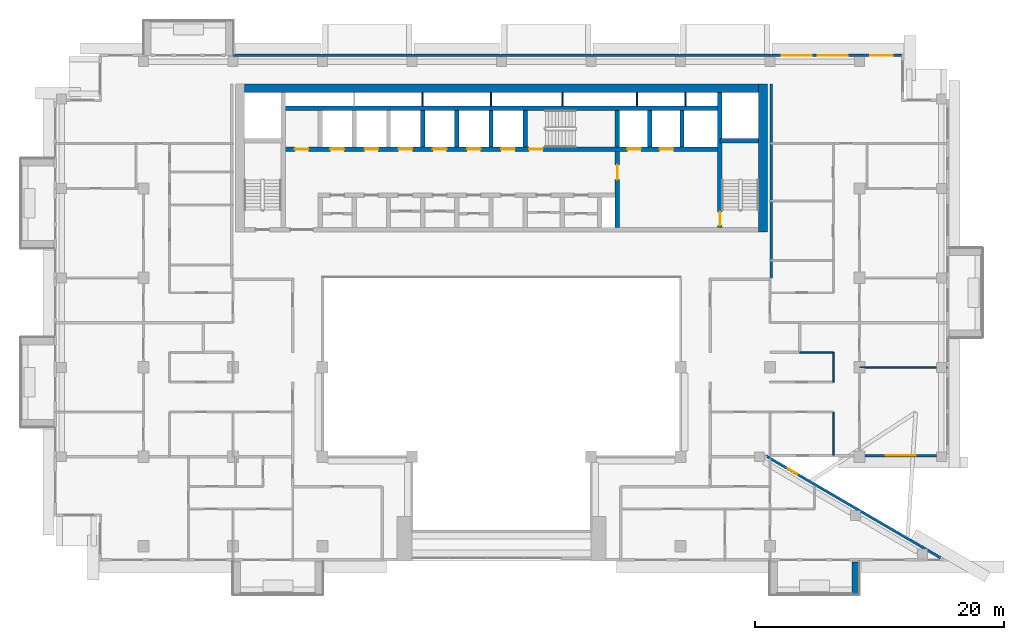
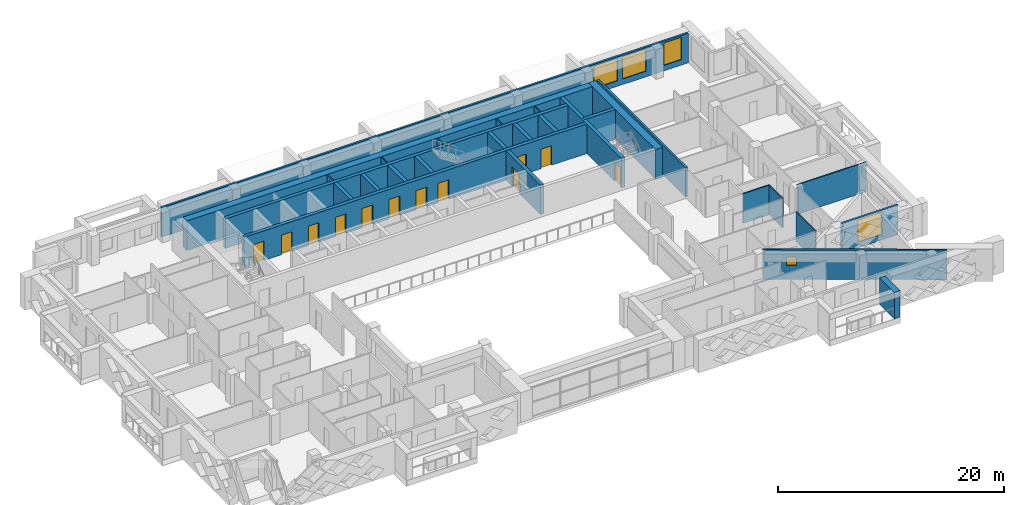
# One storey, part 11 of 20: 28 walls, 12 doors, 5 windows, 17 openings.
"""IFC4 building model written with IfcOpenShell, lengths in metres."""

from ifc_helpers import new_model, si_unit, direction, frame, frame_2d, origin, place, context, subcontext, project, spatial, rectangle, extrude, material, layer, layer_set, type_object, element, fill, save


model = new_model("IFC4")

# Units and contexts
model_context = context("Model", 3, precision=1e-05, world=origin(), true_north=direction((0.0, 1.0)))
body_context = subcontext(model_context, "Body", "Model", "MODEL_VIEW")
ifc_project = project(units=[si_unit("LENGTHUNIT", "METRE"), si_unit("AREAUNIT", "SQUARE_METRE"), si_unit("VOLUMEUNIT", "CUBIC_METRE"), si_unit("PLANEANGLEUNIT", "RADIAN"), si_unit("MASSUNIT", "GRAM", prefix="KILO")], contexts=[model_context])

# Site, building, storey
site_placement = place(None, origin())
site = spatial("IfcSite", under=ifc_project, at=site_placement, CompositionType="ELEMENT")
building_placement = place(site_placement, origin())
building = spatial("IfcBuilding", under=site, at=building_placement, Name="Saffron Iwan Residences", CompositionType="ELEMENT")
storey_placement = place(building_placement, frame((0.0, 0.0, 178.0)))
storey = spatial("IfcBuildingStorey", under=building, at=storey_placement, Name="L47", CompositionType="ELEMENT", Elevation=178.0)

# Wall
ifc_material_1 = material(Name="Concrete C50/60 white painted", Category="concrete")
ifc_layer_1 = layer(ifc_material_1, 0.60009765625)
ifc_layer_set_1 = layer_set([ifc_layer_1], Name="Concrete C50/60 white painted")
wall_type_1 = type_object("IfcWallType", Name="BALCONY FIN 600", PredefinedType="SOLIDWALL", material=ifc_layer_set_1)
wall_1_placement = place(storey_placement, frame((78.89990234375, 39.550048828125, 0.0), z_axis=(0.0, 0.0, 1.0), x_axis=(0.0, -1.0, 0.0)))
element("IfcWall", 1, at=wall_1_placement, inside=storey, type_object=wall_type_1, Name="Balcony fin L47 11-1b", PredefinedType="SOLIDWALL", context=body_context, shape_type="SweptSolid", body=[
    extrude(rectangle(XDim=2.650146484375, YDim=0.60009765625, at=frame_2d((1.3251953125, 0.0))), origin(), (0.0, 0.0, 1.0), 2.85009765625),
])

# Wall, opening, window
ifc_material_2 = material(Name="Concrete C40/50", Category="concrete")
ifc_layer_2 = layer(ifc_material_2, 0.199951171875)
ifc_layer_set_2 = layer_set([ifc_layer_2], Name="Concrete C40/50")
wall_type_2 = type_object("IfcWallType", Name="EXTERNAL WALL 200", PredefinedType="SOLIDWALL", material=ifc_layer_set_2)
wall_2_placement = place(storey_placement, frame((85.71923828125, 39.88134765625, 0.0), z_axis=(0.0, 0.0, 1.0), x_axis=(-0.86377618652, 0.503875678716, 0.0)))
wall_2 = element("IfcWall", 2, at=wall_2_placement, inside=storey, type_object=wall_type_2, Name="External wall L47 F0.0", PredefinedType="SOLIDWALL", context=body_context, shape_type="SweptSolid", body=[
    extrude(rectangle(XDim=16.31103515625, YDim=0.199951171875, at=frame_2d((8.155517578125, 0.0))), origin(), (0.0, 0.0, 1.0), 3.199951171875),
])
opening_1_placement = place(wall_2_placement, frame((13.32568359375, 0.0, 1.5)))
opening_1 = element("IfcOpeningElement", 3, at=opening_1_placement, cuts=wall_2, Name="Opening W6", PredefinedType="OPENING", context=body_context, shape_type="SweptSolid", body=[
    extrude(rectangle(XDim=0.89990234375, YDim=0.89990234375, at=frame_2d((0.449951171875, 0.449951171875))), frame((0.0, 0.10986328125, 0.0), z_axis=(0.0, -1.0, 0.0), x_axis=(1.0, 0.0, 0.0)), (0.0, 0.0, 1.0), 0.219970703125),
])
ifc_material_3 = material(Name="Clear glass, laminated double glazed", Category="glass")
window_type_1 = type_object("IfcWindowType", Name="WINDOW 900 x 900 BATH", PartitioningType="SINGLE_PANEL", PredefinedType="WINDOW", material=ifc_material_3)
window_1_placement = place(opening_1_placement, origin())
window_1 = element("IfcWindow", 4, at=window_1_placement, inside=storey, type_object=window_type_1, Name="Window L47 F0.0", OverallHeight=0.89990234375, OverallWidth=0.89990234375, PartitioningType="SINGLE_PANEL", PredefinedType="WINDOW", context=body_context, shape_type="SweptSolid", body=[
    extrude(rectangle(XDim=0.89990234375, YDim=0.89990234375, at=frame_2d((0.449951171875, 0.449951171875))), frame((0.0, 0.030029296875, 0.0), z_axis=(0.0, -1.0, 0.0), x_axis=(1.0, 0.0, 0.0)), (0.0, 0.0, 1.0), 0.06005859375),
])
fill(opening_1, window_1)

wall_3_placement = place(storey_placement, frame((79.64990234375, 48.10009765625, 0.0), z_axis=(0.0, 0.0, 1.0), x_axis=(1.0, 0.0, 0.0)))
wall_3 = element("IfcWall", 5, at=wall_3_placement, inside=storey, type_object=wall_type_2, Name="External wall L47 F1.1", PredefinedType="SOLIDWALL", context=body_context, shape_type="SweptSolid", body=[
    extrude(rectangle(XDim=5.75, YDim=0.199951171875, at=frame_2d((2.875, 0.0))), origin(), (0.0, 0.0, 1.0), 3.199951171875),
])
opening_2_placement = place(wall_3_placement, frame((1.675048828125, 0.0, 0.60009765625)))
opening_2 = element("IfcOpeningElement", 6, at=opening_2_placement, cuts=wall_3, Name="Opening W1", PredefinedType="OPENING", context=body_context, shape_type="SweptSolid", body=[
    extrude(rectangle(XDim=2.39990234375, YDim=2.39990234375, at=frame_2d((1.199951171875, 1.199951171875))), frame((0.0, 0.10986328125, 0.0), z_axis=(0.0, -1.0, 0.0), x_axis=(1.0, 0.0, 0.0)), (0.0, 0.0, 1.0), 0.219970703125),
])
window_type_2 = type_object("IfcWindowType", Name="WINDOW 2400 x 2400", PartitioningType="DOUBLE_PANEL_VERTICAL", PredefinedType="WINDOW", material=ifc_material_3)
window_2_placement = place(opening_2_placement, origin())
window_2 = element("IfcWindow", 7, at=window_2_placement, inside=storey, type_object=window_type_2, Name="Window L47 F1.0", OverallHeight=2.39990234375, OverallWidth=2.39990234375, PartitioningType="DOUBLE_PANEL_VERTICAL", PredefinedType="WINDOW", context=body_context, shape_type="SweptSolid", body=[
    extrude(rectangle(XDim=2.39990234375, YDim=2.39990234375, at=frame_2d((1.199951171875, 1.199951171875))), frame((0.0, 0.030029296875, 0.0), z_axis=(0.0, -1.0, 0.0), x_axis=(1.0, 0.0, 0.0)), (0.0, 0.0, 1.0), 0.06005859375),
])
fill(opening_2, window_2)

# Wall, openings, windows
wall_4_placement = place(storey_placement, frame((82.60009765625, 80.300048828125, 0.0), z_axis=(0.0, 0.0, 1.0), x_axis=(-1.0, 0.0, 0.0)))
wall_4 = element("IfcWall", 8, at=wall_4_placement, inside=storey, type_object=wall_type_2, Name="External wall L47 F5.0", PredefinedType="SOLIDWALL", context=body_context, shape_type="SweptSolid", body=[
    extrude(rectangle(XDim=53.800048828125, YDim=0.199951171875, at=frame_2d((26.89990234375, 0.0))), origin(), (0.0, 0.0, 1.0), 3.199951171875),
])
opening_3_placement = place(wall_4_placement, frame((0.72509765625, 0.0, 0.60009765625)))
opening_3 = element("IfcOpeningElement", 9, at=opening_3_placement, cuts=wall_4, Name="Opening W8", PredefinedType="OPENING", context=body_context, shape_type="SweptSolid", body=[
    extrude(rectangle(XDim=1.800048828125, YDim=2.39990234375, at=frame_2d((0.89990234375, 1.199951171875))), frame((0.0, 0.10986328125, 0.0), z_axis=(0.0, -1.0, 0.0), x_axis=(1.0, 0.0, 0.0)), (0.0, 0.0, 1.0), 0.219970703125),
])
opening_4_placement = place(wall_4_placement, frame((4.35009765625, 0.0, 0.60009765625)))
opening_4 = element("IfcOpeningElement", 10, at=opening_4_placement, cuts=wall_4, Name="Opening W1", PredefinedType="OPENING", context=body_context, shape_type="SweptSolid", body=[
    extrude(rectangle(XDim=2.39990234375, YDim=2.39990234375, at=frame_2d((1.199951171875, 1.199951171875))), frame((0.0, 0.10986328125, 0.0), z_axis=(0.0, -1.0, 0.0), x_axis=(1.0, 0.0, 0.0)), (0.0, 0.0, 1.0), 0.219970703125),
])
opening_5_placement = place(wall_4_placement, frame((7.25, 0.0, 0.60009765625)))
opening_5 = element("IfcOpeningElement", 11, at=opening_5_placement, cuts=wall_4, Name="Opening W1", PredefinedType="OPENING", context=body_context, shape_type="SweptSolid", body=[
    extrude(rectangle(XDim=2.39990234375, YDim=2.39990234375, at=frame_2d((1.199951171875, 1.199951171875))), frame((0.0, 0.10986328125, 0.0), z_axis=(0.0, -1.0, 0.0), x_axis=(1.0, 0.0, 0.0)), (0.0, 0.0, 1.0), 0.219970703125),
])
window_type_3 = type_object("IfcWindowType", Name="WINDOW 1800 x 2400", PartitioningType="DOUBLE_PANEL_VERTICAL", PredefinedType="WINDOW", material=ifc_material_3)
window_3_placement = place(opening_3_placement, origin())
window_3 = element("IfcWindow", 12, at=window_3_placement, inside=storey, type_object=window_type_3, Name="Window L47 F5.0", OverallHeight=2.39990234375, OverallWidth=1.800048828125, PartitioningType="DOUBLE_PANEL_VERTICAL", PredefinedType="WINDOW", context=body_context, shape_type="SweptSolid", body=[
    extrude(rectangle(XDim=1.800048828125, YDim=2.39990234375, at=frame_2d((0.89990234375, 1.199951171875))), frame((0.0, 0.030029296875, 0.0), z_axis=(0.0, -1.0, 0.0), x_axis=(1.0, 0.0, 0.0)), (0.0, 0.0, 1.0), 0.06005859375),
])
fill(opening_3, window_3)
window_4_placement = place(opening_4_placement, origin())
window_4 = element("IfcWindow", 13, at=window_4_placement, inside=storey, type_object=window_type_2, Name="Window L47 F5.1", OverallHeight=2.39990234375, OverallWidth=2.39990234375, PartitioningType="DOUBLE_PANEL_VERTICAL", PredefinedType="WINDOW", context=body_context, shape_type="SweptSolid", body=[
    extrude(rectangle(XDim=2.39990234375, YDim=2.39990234375, at=frame_2d((1.199951171875, 1.199951171875))), frame((0.0, 0.030029296875, 0.0), z_axis=(0.0, -1.0, 0.0), x_axis=(1.0, 0.0, 0.0)), (0.0, 0.0, 1.0), 0.06005859375),
])
fill(opening_4, window_4)
window_5_placement = place(opening_5_placement, origin())
window_5 = element("IfcWindow", 14, at=window_5_placement, inside=storey, type_object=window_type_2, Name="Window L47 F5.2", OverallHeight=2.39990234375, OverallWidth=2.39990234375, PartitioningType="DOUBLE_PANEL_VERTICAL", PredefinedType="WINDOW", context=body_context, shape_type="SweptSolid", body=[
    extrude(rectangle(XDim=2.39990234375, YDim=2.39990234375, at=frame_2d((1.199951171875, 1.199951171875))), frame((0.0, 0.030029296875, 0.0), z_axis=(0.0, -1.0, 0.0), x_axis=(1.0, 0.0, 0.0)), (0.0, 0.0, 1.0), 0.06005859375),
])
fill(opening_5, window_5)

# Walls
ifc_material_4 = material(Name="Gypsum board partition")
ifc_layer_3 = layer(ifc_material_4, 0.1201171875)
ifc_layer_set_3 = layer_set([ifc_layer_3], Name="Gypsum board partition")
wall_type_3 = type_object("IfcWallType", Name="Flat partition 120", PredefinedType="PARTITIONING", material=ifc_layer_set_3)
wall_5_placement = place(storey_placement, frame((79.199951171875, 55.199951171875, 0.0), z_axis=(0.0, 0.0, 1.0), x_axis=(1.0, 0.0, 0.0)))
element("IfcWall", 15, at=wall_5_placement, inside=storey, type_object=wall_type_3, Name="W-L47-PART-h55.2-79.2", PredefinedType="PARTITIONING", context=body_context, shape_type="SweptSolid", body=[
    extrude(rectangle(XDim=7.074951171875, YDim=0.1201171875, at=frame_2d((3.53759765625, 0.0))), origin(), (0.0, 0.0, 1.0), 3.199951171875),
])
wall_6_placement = place(storey_placement, frame((74.39990234375, 56.39990234375, 0.0), z_axis=(0.0, 0.0, 1.0), x_axis=(1.0, 0.0, 0.0)))
element("IfcWall", 16, at=wall_6_placement, inside=storey, type_object=wall_type_3, Name="W-L47-PART-h56.4-74.4", PredefinedType="PARTITIONING", context=body_context, shape_type="SweptSolid", body=[
    extrude(rectangle(XDim=2.7001953125, YDim=0.1201171875, at=frame_2d((1.35009765625, 0.0))), origin(), (0.0, 0.0, 1.0), 3.199951171875),
])
wall_7_placement = place(storey_placement, frame((77.10009765625, 48.125, 0.0), z_axis=(0.0, 0.0, 1.0), x_axis=(0.0, 1.0, 0.0)))
element("IfcWall", 17, at=wall_7_placement, inside=storey, type_object=wall_type_3, Name="W-L47-PART-v77.1-48.125", PredefinedType="PARTITIONING", context=body_context, shape_type="SweptSolid", body=[
    extrude(rectangle(XDim=3.47509765625, YDim=0.1201171875, at=frame_2d((1.737548828125, 0.0))), origin(), (0.0, 0.0, 1.0), 3.199951171875),
])
wall_8_placement = place(storey_placement, frame((77.10009765625, 54.0, 0.0), z_axis=(0.0, 0.0, 1.0), x_axis=(0.0, 1.0, 0.0)))
element("IfcWall", 18, at=wall_8_placement, inside=storey, type_object=wall_type_3, Name="W-L47-PART-v77.1-54", PredefinedType="PARTITIONING", context=body_context, shape_type="SweptSolid", body=[
    extrude(rectangle(XDim=2.39990234375, YDim=0.1201171875, at=frame_2d((1.199951171875, 0.0))), origin(), (0.0, 0.0, 1.0), 3.199951171875),
])
ifc_material_5 = material(Name="Fire-rated gypsum board wall")
ifc_layer_4 = layer(ifc_material_5, 0.199951171875)
ifc_layer_set_4 = layer_set([ifc_layer_4], Name="Fire-rated gypsum board wall")
wall_type_4 = type_object("IfcWallType", Name="Gallery wall 200", PredefinedType="SOLIDWALL", material=ifc_layer_set_4)
wall_9_placement = place(storey_placement, frame((72.10009765625, 62.39990234375, 0.0), z_axis=(0.0, 0.0, 1.0), x_axis=(0.0, 1.0, 0.0)))
element("IfcWall", 19, at=wall_9_placement, inside=storey, type_object=wall_type_4, Name="W-L47-CORR-v72-62.4", PredefinedType="SOLIDWALL", context=body_context, shape_type="SweptSolid", body=[
    extrude(rectangle(XDim=15.60009765625, YDim=0.199951171875, at=frame_2d((7.800048828125, 0.0))), origin(), (0.0, 0.0, 1.0), 3.199951171875),
])
ifc_material_6 = material(Name="Fire-rated plasterboard partition")
ifc_layer_5 = layer(ifc_material_6, 0.10009765625)
ifc_layer_set_5 = layer_set([ifc_layer_5], Name="Fire-rated plasterboard partition")
wall_type_5 = type_object("IfcWallType", Name="Riser partition 100", PredefinedType="PARTITIONING", material=ifc_layer_set_5)
for number, where, z_axis, x_axis, name in (
    (20, (44.050048828125, 76.22509765625, 0.0), (0.0, 0.0, 1.0), (0.0, 1.0, 0.0), "Core partition P08"),
    (21, (49.550048828125, 76.22509765625, 0.0), (0.0, 0.0, 1.0), (0.0, 1.0, 0.0), "Core partition P09"),
    (22, (55.300048828125, 76.22509765625, 0.0), (0.0, 0.0, 1.0), (0.0, 1.0, 0.0), "Core partition P10"),
    (23, (61.300048828125, 76.22509765625, 0.0), (0.0, 0.0, 1.0), (0.0, 1.0, 0.0), "Core partition P11"),
    (24, (65.199951171875, 76.22509765625, 0.0), (0.0, 0.0, 1.0), (0.0, 1.0, 0.0), "Core partition P12"),
):
    element("IfcWall", number, at=place(storey_placement, frame(where, z_axis=z_axis, x_axis=x_axis)), inside=storey, type_object=wall_type_5, Name=name, PredefinedType="PARTITIONING", context=body_context, shape_type="SweptSolid", body=[
        extrude(rectangle(XDim=1.074951171875, YDim=0.10009765625, at=frame_2d((0.53759765625, 0.0))), origin(), (0.0, 0.0, 1.0), 3.199951171875),
    ])

# Wall, openings, doors
ifc_material_7 = material(Name="Concrete C50/60", Category="concrete")
ifc_layer_6 = layer(ifc_material_7, 0.35009765625)
ifc_layer_set_6 = layer_set([ifc_layer_6], Name="Concrete C50/60")
wall_type_6 = type_object("IfcWallType", Name="WALL CORE 350 C50/60 3200 HIGH", PredefinedType="SHEAR", material=ifc_layer_set_6)
wall_10_placement = place(storey_placement, frame((32.824951171875, 72.75, 0.0), z_axis=(0.0, 0.0, 1.0), x_axis=(1.0, 0.0, 0.0)))
wall_10 = element("IfcWall", 25, at=wall_10_placement, inside=storey, type_object=wall_type_6, Name="Core wall", PredefinedType="SHEAR", context=body_context, shape_type="SweptSolid", body=[
    extrude(rectangle(XDim=35.150146484375, YDim=0.35009765625, at=frame_2d((17.5751953125, 0.0))), origin(), (0.0, 0.0, 1.0), 3.199951171875),
])
opening_6_placement = place(wall_10_placement, frame((19.800048828125, 0.0, 0.0)))
opening_6 = element("IfcOpeningElement", 26, at=opening_6_placement, cuts=wall_10, Name="Opening SD", PredefinedType="OPENING", context=body_context, shape_type="SweptSolid", body=[
    extrude(rectangle(XDim=1.10009765625, YDim=2.10009765625, at=frame_2d((0.550048828125, 1.050048828125))), frame((0.0, 0.18505859375, 0.0), z_axis=(0.0, -1.0, 0.0), x_axis=(1.0, 0.0, 0.0)), (0.0, 0.0, 1.0), 0.3701171875),
])
opening_7_placement = place(wall_10_placement, frame((27.699951171875, 0.0, 0.0)))
opening_7 = element("IfcOpeningElement", 27, at=opening_7_placement, cuts=wall_10, Name="Opening LD", PredefinedType="OPENING", context=body_context, shape_type="SweptSolid", body=[
    extrude(rectangle(XDim=1.10009765625, YDim=2.10009765625, at=frame_2d((0.550048828125, 1.050048828125))), frame((0.0, 0.18505859375, 0.0), z_axis=(0.0, -1.0, 0.0), x_axis=(1.0, 0.0, 0.0)), (0.0, 0.0, 1.0), 0.3701171875),
])
opening_8_placement = place(wall_10_placement, frame((30.300048828125, 0.0, 0.0)))
opening_8 = element("IfcOpeningElement", 28, at=opening_8_placement, cuts=wall_10, Name="Opening LD", PredefinedType="OPENING", context=body_context, shape_type="SweptSolid", body=[
    extrude(rectangle(XDim=1.10009765625, YDim=2.10009765625, at=frame_2d((0.550048828125, 1.050048828125))), frame((0.0, 0.18505859375, 0.0), z_axis=(0.0, -1.0, 0.0), x_axis=(1.0, 0.0, 0.0)), (0.0, 0.0, 1.0), 0.3701171875),
])
opening_9_placement = place(wall_10_placement, frame((3.800048828125, 0.0, 0.0)))
opening_9 = element("IfcOpeningElement", 29, at=opening_9_placement, cuts=wall_10, Name="Opening LD", PredefinedType="OPENING", context=body_context, shape_type="SweptSolid", body=[
    extrude(rectangle(XDim=1.10009765625, YDim=2.10009765625, at=frame_2d((0.550048828125, 1.050048828125))), frame((0.0, 0.18505859375, 0.0), z_axis=(0.0, -1.0, 0.0), x_axis=(1.0, 0.0, 0.0)), (0.0, 0.0, 1.0), 0.3701171875),
])
opening_10_placement = place(wall_10_placement, frame((6.550048828125, 0.0, 0.0)))
opening_10 = element("IfcOpeningElement", 30, at=opening_10_placement, cuts=wall_10, Name="Opening LD", PredefinedType="OPENING", context=body_context, shape_type="SweptSolid", body=[
    extrude(rectangle(XDim=1.10009765625, YDim=2.10009765625, at=frame_2d((0.550048828125, 1.050048828125))), frame((0.0, 0.18505859375, 0.0), z_axis=(0.0, -1.0, 0.0), x_axis=(1.0, 0.0, 0.0)), (0.0, 0.0, 1.0), 0.3701171875),
])
opening_11_placement = place(wall_10_placement, frame((9.300048828125, 0.0, 0.0)))
opening_11 = element("IfcOpeningElement", 31, at=opening_11_placement, cuts=wall_10, Name="Opening LD", PredefinedType="OPENING", context=body_context, shape_type="SweptSolid", body=[
    extrude(rectangle(XDim=1.10009765625, YDim=2.10009765625, at=frame_2d((0.550048828125, 1.050048828125))), frame((0.0, 0.18505859375, 0.0), z_axis=(0.0, -1.0, 0.0), x_axis=(1.0, 0.0, 0.0)), (0.0, 0.0, 1.0), 0.3701171875),
])
opening_12_placement = place(wall_10_placement, frame((12.050048828125, 0.0, 0.0)))
opening_12 = element("IfcOpeningElement", 32, at=opening_12_placement, cuts=wall_10, Name="Opening LD", PredefinedType="OPENING", context=body_context, shape_type="SweptSolid", body=[
    extrude(rectangle(XDim=1.10009765625, YDim=2.10009765625, at=frame_2d((0.550048828125, 1.050048828125))), frame((0.0, 0.18505859375, 0.0), z_axis=(0.0, -1.0, 0.0), x_axis=(1.0, 0.0, 0.0)), (0.0, 0.0, 1.0), 0.3701171875),
])
opening_13_placement = place(wall_10_placement, frame((14.800048828125, 0.0, 0.0)))
opening_13 = element("IfcOpeningElement", 33, at=opening_13_placement, cuts=wall_10, Name="Opening LD", PredefinedType="OPENING", context=body_context, shape_type="SweptSolid", body=[
    extrude(rectangle(XDim=1.10009765625, YDim=2.10009765625, at=frame_2d((0.550048828125, 1.050048828125))), frame((0.0, 0.18505859375, 0.0), z_axis=(0.0, -1.0, 0.0), x_axis=(1.0, 0.0, 0.0)), (0.0, 0.0, 1.0), 0.3701171875),
])
opening_14_placement = place(wall_10_placement, frame((17.550048828125, 0.0, 0.0)))
opening_14 = element("IfcOpeningElement", 34, at=opening_14_placement, cuts=wall_10, Name="Opening LD", PredefinedType="OPENING", context=body_context, shape_type="SweptSolid", body=[
    extrude(rectangle(XDim=1.10009765625, YDim=2.10009765625, at=frame_2d((0.550048828125, 1.050048828125))), frame((0.0, 0.18505859375, 0.0), z_axis=(0.0, -1.0, 0.0), x_axis=(1.0, 0.0, 0.0)), (0.0, 0.0, 1.0), 0.3701171875),
])
opening_15_placement = place(wall_10_placement, frame((0.9375, 0.0, 0.0)))
opening_15 = element("IfcOpeningElement", 35, at=opening_15_placement, cuts=wall_10, Name="Opening SR", PredefinedType="OPENING", context=body_context, shape_type="SweptSolid", body=[
    extrude(rectangle(XDim=1.10009765625, YDim=2.10009765625, at=frame_2d((0.550048828125, 1.050048828125))), frame((0.0, 0.18505859375, 0.0), z_axis=(0.0, -1.0, 0.0), x_axis=(1.0, 0.0, 0.0)), (0.0, 0.0, 1.0), 0.3701171875),
])
ifc_material_8 = material(Name="Steel fire door", Category="steel")
door_type_1 = type_object("IfcDoorType", Name="Lift landing door 1100", OperationType="SLIDING_TO_LEFT", PredefinedType="DOOR", material=ifc_material_8)
door_1_placement = place(opening_7_placement, origin())
door_1 = element("IfcDoor", 36, at=door_1_placement, inside=storey, type_object=door_type_1, Name="Landing doors FF1", OperationType="SLIDING_TO_LEFT", OverallHeight=2.10009765625, OverallWidth=1.10009765625, PredefinedType="DOOR", context=body_context, shape_type="SweptSolid", body=[
    extrude(rectangle(XDim=1.10009765625, YDim=2.10009765625, at=frame_2d((0.550048828125, 1.050048828125))), frame((0.0, 0.02490234375, 0.0), z_axis=(0.0, -1.0, 0.0), x_axis=(1.0, 0.0, 0.0)), (0.0, 0.0, 1.0), 0.050048828125),
])
fill(opening_7, door_1)
door_2_placement = place(opening_8_placement, origin())
door_2 = element("IfcDoor", 37, at=door_2_placement, inside=storey, type_object=door_type_1, Name="Landing doors FF2", OperationType="SLIDING_TO_LEFT", OverallHeight=2.10009765625, OverallWidth=1.10009765625, PredefinedType="DOOR", context=body_context, shape_type="SweptSolid", body=[
    extrude(rectangle(XDim=1.10009765625, YDim=2.10009765625, at=frame_2d((0.550048828125, 1.050048828125))), frame((0.0, 0.02490234375, 0.0), z_axis=(0.0, -1.0, 0.0), x_axis=(1.0, 0.0, 0.0)), (0.0, 0.0, 1.0), 0.050048828125),
])
fill(opening_8, door_2)
door_3_placement = place(opening_9_placement, origin())
door_3 = element("IfcDoor", 38, at=door_3_placement, inside=storey, type_object=door_type_1, Name="Landing doors HR1", OperationType="SLIDING_TO_LEFT", OverallHeight=2.10009765625, OverallWidth=1.10009765625, PredefinedType="DOOR", context=body_context, shape_type="SweptSolid", body=[
    extrude(rectangle(XDim=1.10009765625, YDim=2.10009765625, at=frame_2d((0.550048828125, 1.050048828125))), frame((0.0, 0.02490234375, 0.0), z_axis=(0.0, -1.0, 0.0), x_axis=(1.0, 0.0, 0.0)), (0.0, 0.0, 1.0), 0.050048828125),
])
fill(opening_9, door_3)
door_4_placement = place(opening_10_placement, origin())
door_4 = element("IfcDoor", 39, at=door_4_placement, inside=storey, type_object=door_type_1, Name="Landing doors HR2", OperationType="SLIDING_TO_LEFT", OverallHeight=2.10009765625, OverallWidth=1.10009765625, PredefinedType="DOOR", context=body_context, shape_type="SweptSolid", body=[
    extrude(rectangle(XDim=1.10009765625, YDim=2.10009765625, at=frame_2d((0.550048828125, 1.050048828125))), frame((0.0, 0.02490234375, 0.0), z_axis=(0.0, -1.0, 0.0), x_axis=(1.0, 0.0, 0.0)), (0.0, 0.0, 1.0), 0.050048828125),
])
fill(opening_10, door_4)
door_5_placement = place(opening_11_placement, origin())
door_5 = element("IfcDoor", 40, at=door_5_placement, inside=storey, type_object=door_type_1, Name="Landing doors HR3", OperationType="SLIDING_TO_LEFT", OverallHeight=2.10009765625, OverallWidth=1.10009765625, PredefinedType="DOOR", context=body_context, shape_type="SweptSolid", body=[
    extrude(rectangle(XDim=1.10009765625, YDim=2.10009765625, at=frame_2d((0.550048828125, 1.050048828125))), frame((0.0, 0.02490234375, 0.0), z_axis=(0.0, -1.0, 0.0), x_axis=(1.0, 0.0, 0.0)), (0.0, 0.0, 1.0), 0.050048828125),
])
fill(opening_11, door_5)
door_6_placement = place(opening_12_placement, origin())
door_6 = element("IfcDoor", 41, at=door_6_placement, inside=storey, type_object=door_type_1, Name="Landing doors HR4", OperationType="SLIDING_TO_LEFT", OverallHeight=2.10009765625, OverallWidth=1.10009765625, PredefinedType="DOOR", context=body_context, shape_type="SweptSolid", body=[
    extrude(rectangle(XDim=1.10009765625, YDim=2.10009765625, at=frame_2d((0.550048828125, 1.050048828125))), frame((0.0, 0.02490234375, 0.0), z_axis=(0.0, -1.0, 0.0), x_axis=(1.0, 0.0, 0.0)), (0.0, 0.0, 1.0), 0.050048828125),
])
fill(opening_12, door_6)
door_7_placement = place(opening_13_placement, origin())
door_7 = element("IfcDoor", 42, at=door_7_placement, inside=storey, type_object=door_type_1, Name="Landing doors HR5", OperationType="SLIDING_TO_LEFT", OverallHeight=2.10009765625, OverallWidth=1.10009765625, PredefinedType="DOOR", context=body_context, shape_type="SweptSolid", body=[
    extrude(rectangle(XDim=1.10009765625, YDim=2.10009765625, at=frame_2d((0.550048828125, 1.050048828125))), frame((0.0, 0.02490234375, 0.0), z_axis=(0.0, -1.0, 0.0), x_axis=(1.0, 0.0, 0.0)), (0.0, 0.0, 1.0), 0.050048828125),
])
fill(opening_13, door_7)
door_8_placement = place(opening_14_placement, origin())
door_8 = element("IfcDoor", 43, at=door_8_placement, inside=storey, type_object=door_type_1, Name="Landing doors HR6", OperationType="SLIDING_TO_LEFT", OverallHeight=2.10009765625, OverallWidth=1.10009765625, PredefinedType="DOOR", context=body_context, shape_type="SweptSolid", body=[
    extrude(rectangle(XDim=1.10009765625, YDim=2.10009765625, at=frame_2d((0.550048828125, 1.050048828125))), frame((0.0, 0.02490234375, 0.0), z_axis=(0.0, -1.0, 0.0), x_axis=(1.0, 0.0, 0.0)), (0.0, 0.0, 1.0), 0.050048828125),
])
fill(opening_14, door_8)
door_type_2 = type_object("IfcDoorType", Name="Service door 1100", OperationType="NOTDEFINED", PredefinedType="DOOR", material=ifc_material_8)
door_9_placement = place(opening_15_placement, origin())
door_9 = element("IfcDoor", 44, at=door_9_placement, inside=storey, type_object=door_type_2, Name="Door Storage room", OperationType="SINGLE_SWING_LEFT", OverallHeight=2.10009765625, OverallWidth=1.10009765625, PredefinedType="DOOR", context=body_context, shape_type="SweptSolid", body=[
    extrude(rectangle(XDim=1.10009765625, YDim=2.10009765625, at=frame_2d((0.550048828125, 1.050048828125))), frame((0.0, 0.02490234375, 0.0), z_axis=(0.0, -1.0, 0.0), x_axis=(1.0, 0.0, 0.0)), (0.0, 0.0, 1.0), 0.050048828125),
])
fill(opening_15, door_9)
door_type_3 = type_object("IfcDoorType", Name="Stair door 1100", OperationType="NOTDEFINED", PredefinedType="DOOR", material=ifc_material_8)
door_10_placement = place(opening_6_placement, origin())
door_10 = element("IfcDoor", 45, at=door_10_placement, inside=storey, type_object=door_type_3, Name="Stair door ST-C", OperationType="SINGLE_SWING_LEFT", OverallHeight=2.10009765625, OverallWidth=1.10009765625, PredefinedType="DOOR", context=body_context, shape_type="SweptSolid", body=[
    extrude(rectangle(XDim=1.10009765625, YDim=2.10009765625, at=frame_2d((0.550048828125, 1.050048828125))), frame((0.0, 0.02490234375, 0.0), z_axis=(0.0, -1.0, 0.0), x_axis=(1.0, 0.0, 0.0)), (0.0, 0.0, 1.0), 0.050048828125),
])
fill(opening_6, door_10)

# Walls
wall_11_placement = place(storey_placement, frame((32.824951171875, 76.050048828125, 0.0), z_axis=(0.0, 0.0, 1.0), x_axis=(1.0, 0.0, 0.0)))
element("IfcWall", 46, at=wall_11_placement, inside=storey, type_object=wall_type_6, Name="Core wall", PredefinedType="SHEAR", context=body_context, shape_type="SweptSolid", body=[
    extrude(rectangle(XDim=35.150146484375, YDim=0.35009765625, at=frame_2d((17.5751953125, 0.0))), origin(), (0.0, 0.0, 1.0), 3.199951171875),
])
wall_12_placement = place(storey_placement, frame((67.97509765625, 73.425048828125, 0.0), z_axis=(0.0, 0.0, 1.0), x_axis=(1.0, 0.0, 0.0)))
element("IfcWall", 47, at=wall_12_placement, inside=storey, type_object=wall_type_6, Name="Core wall", PredefinedType="SHEAR", context=body_context, shape_type="SweptSolid", body=[
    extrude(rectangle(XDim=3.125, YDim=0.35009765625, at=frame_2d((1.5625, 0.0))), origin(), (0.0, 0.0, 1.0), 3.199951171875),
])

# Wall, opening, door
wall_13_placement = place(storey_placement, frame((67.97509765625, 66.449951171875, 0.0), z_axis=(0.0, 0.0, 1.0), x_axis=(0.0, 1.0, 0.0)))
wall_13 = element("IfcWall", 48, at=wall_13_placement, inside=storey, type_object=wall_type_6, Name="Core wall", PredefinedType="SHEAR", context=body_context, shape_type="SweptSolid", body=[
    extrude(rectangle(XDim=10.85009765625, YDim=0.35009765625, at=frame_2d((5.425048828125, 0.0))), origin(), (0.0, 0.0, 1.0), 3.199951171875),
])
opening_16_placement = place(wall_13_placement, frame((0.14990234375, 0.0, 0.0)))
opening_16 = element("IfcOpeningElement", 49, at=opening_16_placement, cuts=wall_13, Name="Opening SD", PredefinedType="OPENING", context=body_context, shape_type="SweptSolid", body=[
    extrude(rectangle(XDim=1.10009765625, YDim=2.10009765625, at=frame_2d((0.550048828125, 1.050048828125))), frame((0.0, 0.18505859375, 0.0), z_axis=(0.0, -1.0, 0.0), x_axis=(1.0, 0.0, 0.0)), (0.0, 0.0, 1.0), 0.3701171875),
])
door_11_placement = place(opening_16_placement, origin())
door_11 = element("IfcDoor", 50, at=door_11_placement, inside=storey, type_object=door_type_3, Name="Stair door ST-E", OperationType="SINGLE_SWING_LEFT", OverallHeight=2.10009765625, OverallWidth=1.10009765625, PredefinedType="DOOR", context=body_context, shape_type="SweptSolid", body=[
    extrude(rectangle(XDim=1.10009765625, YDim=2.10009765625, at=frame_2d((0.550048828125, 1.050048828125))), frame((0.0, 0.02490234375, 0.0), z_axis=(0.0, -1.0, 0.0), x_axis=(1.0, 0.0, 0.0)), (0.0, 0.0, 1.0), 0.050048828125),
])
fill(opening_16, door_11)

wall_14_placement = place(storey_placement, frame((59.72509765625, 66.449951171875, 0.0), z_axis=(0.0, 0.0, 1.0), x_axis=(0.0, 1.0, 0.0)))
wall_14 = element("IfcWall", 51, at=wall_14_placement, inside=storey, type_object=wall_type_6, Name="Core wall", PredefinedType="SHEAR", context=body_context, shape_type="SweptSolid", body=[
    extrude(rectangle(XDim=6.125, YDim=0.35009765625, at=frame_2d((3.0625, 0.0))), origin(), (0.0, 0.0, 1.0), 3.199951171875),
])
opening_17_placement = place(wall_14_placement, frame((3.85009765625, 0.0, 0.0)))
opening_17 = element("IfcOpeningElement", 52, at=opening_17_placement, cuts=wall_14, Name="Opening FD", PredefinedType="OPENING", context=body_context, shape_type="SweptSolid", body=[
    extrude(rectangle(XDim=1.199951171875, YDim=2.10009765625, at=frame_2d((0.60009765625, 1.050048828125))), frame((0.0, 0.18505859375, 0.0), z_axis=(0.0, -1.0, 0.0), x_axis=(1.0, 0.0, 0.0)), (0.0, 0.0, 1.0), 0.3701171875),
])
door_type_4 = type_object("IfcDoorType", Name="Firefighting lobby door 1200", OperationType="NOTDEFINED", PredefinedType="DOOR", material=ifc_material_8)
door_12_placement = place(opening_17_placement, origin())
door_12 = element("IfcDoor", 53, at=door_12_placement, inside=storey, type_object=door_type_4, Name="Firefighting lobby door", OperationType="SINGLE_SWING_LEFT", OverallHeight=2.10009765625, OverallWidth=1.199951171875, PredefinedType="DOOR", context=body_context, shape_type="SweptSolid", body=[
    extrude(rectangle(XDim=1.199951171875, YDim=2.10009765625, at=frame_2d((0.60009765625, 1.050048828125))), frame((0.0, 0.02490234375, 0.0), z_axis=(0.0, -1.0, 0.0), x_axis=(1.0, 0.0, 0.0)), (0.0, 0.0, 1.0), 0.050048828125),
])
fill(opening_17, door_12)

# Walls
for number, where, z_axis, x_axis, name in (
    (54, (59.72509765625, 72.925048828125, 0.0), (0.0, 0.0, 1.0), (0.0, 1.0, 0.0), "Core wall"),
    (55, (44.050048828125, 72.925048828125, 0.0), (0.0, 0.0, 1.0), (0.0, 1.0, 0.0), "Core wall"),
    (56, (46.800048828125, 72.925048828125, 0.0), (0.0, 0.0, 1.0), (0.0, 1.0, 0.0), "Core wall"),
    (57, (49.550048828125, 72.925048828125, 0.0), (0.0, 0.0, 1.0), (0.0, 1.0, 0.0), "Core wall"),
    (58, (52.300048828125, 72.925048828125, 0.0), (0.0, 0.0, 1.0), (0.0, 1.0, 0.0), "Core wall"),
    (59, (62.324951171875, 72.925048828125, 0.0), (0.0, 0.0, 1.0), (0.0, 1.0, 0.0), "Core wall"),
    (60, (64.925048828125, 72.925048828125, 0.0), (0.0, 0.0, 1.0), (0.0, 1.0, 0.0), "Core wall"),
):
    element("IfcWall", number, at=place(storey_placement, frame(where, z_axis=z_axis, x_axis=x_axis)), inside=storey, type_object=wall_type_6, Name=name, PredefinedType="SHEAR", context=body_context, shape_type="SweptSolid", body=[
        extrude(rectangle(XDim=2.949951171875, YDim=0.35009765625, at=frame_2d((1.47509765625, 0.0))), origin(), (0.0, 0.0, 1.0), 3.199951171875),
    ])
ifc_layer_7 = layer(ifc_material_7, 0.699951171875)
ifc_layer_set_7 = layer_set([ifc_layer_7], Name="Concrete C50/60")
wall_type_7 = type_object("IfcWallType", Name="WALL CORE 700 C50/60 3200 HIGH", PredefinedType="SHEAR", material=ifc_layer_set_7)
wall_15_placement = place(storey_placement, frame((71.449951171875, 66.10009765625, 0.0), z_axis=(0.0, 0.0, 1.0), x_axis=(0.0, 1.0, 0.0)))
element("IfcWall", 61, at=wall_15_placement, inside=storey, type_object=wall_type_7, Name="Core wall", PredefinedType="SHEAR", context=body_context, shape_type="SweptSolid", body=[
    extrude(rectangle(XDim=11.89990234375, YDim=0.699951171875, at=frame_2d((5.949951171875, 0.0))), origin(), (0.0, 0.0, 1.0), 3.199951171875),
])
wall_16_placement = place(storey_placement, frame((29.699951171875, 77.64990234375, 0.0), z_axis=(0.0, 0.0, 1.0), x_axis=(1.0, 0.0, 0.0)))
element("IfcWall", 62, at=wall_16_placement, inside=storey, type_object=wall_type_7, Name="Core wall", PredefinedType="SHEAR", context=body_context, shape_type="SweptSolid", body=[
    extrude(rectangle(XDim=41.400146484375, YDim=0.699951171875, at=frame_2d((20.7001953125, 0.0))), origin(), (0.0, 0.0, 1.0), 3.199951171875),
])

save(model, "model.ifc")
